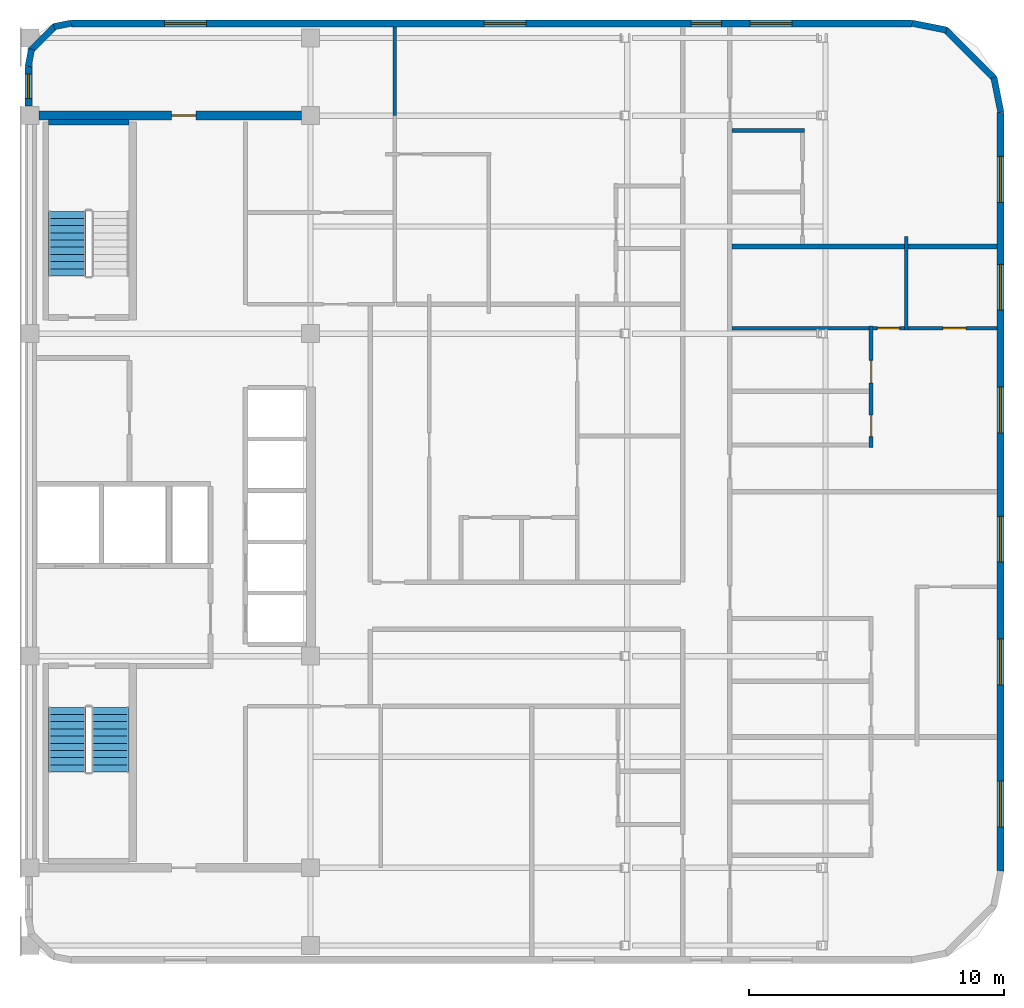
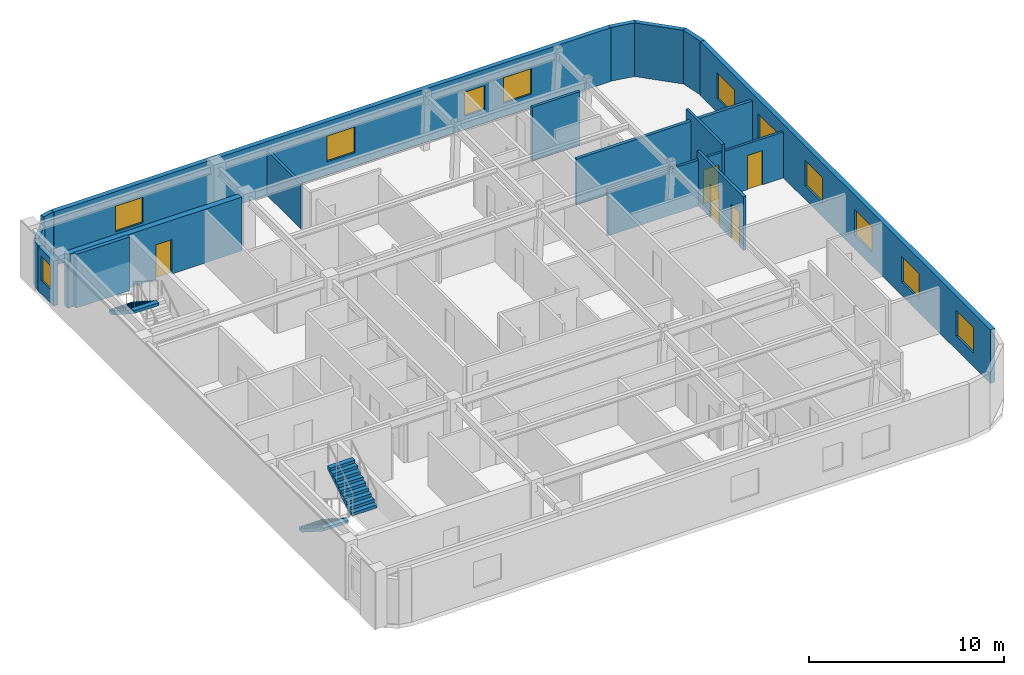
# One storey, part 5 of 7: 17 walls, 11 windows, 5 doors, 3 stair flights, 16 openings, 2 elements without a shape of their own.
"""IFC4 building model written with IfcOpenShell, lengths in metres."""

from ifc_helpers import new_model, si_unit, direction, frame, frame_2d, origin, place, context, subcontext, project, spatial, polyline, rectangle, outline, extrude, material, layer, layer_set, type_object, element, fill, aggregate, save


model = new_model("IFC4")

# Units and contexts
model_context = context("Model", 3, precision=1e-05, world=origin(), true_north=direction((0.0, 1.0)))
body_context = subcontext(model_context, "Body", "Model", "MODEL_VIEW")
ifc_project = project(units=[si_unit("LENGTHUNIT", "METRE"), si_unit("AREAUNIT", "SQUARE_METRE"), si_unit("VOLUMEUNIT", "CUBIC_METRE"), si_unit("PLANEANGLEUNIT", "RADIAN"), si_unit("MASSUNIT", "GRAM", prefix="KILO")], contexts=[model_context])

# Site, building, storey
site_placement = place(None, origin())
site = spatial("IfcSite", under=ifc_project, at=site_placement, CompositionType="ELEMENT")
building_placement = place(site_placement, origin())
building = spatial("IfcBuilding", under=site, at=building_placement, Name="Ochreholt Gables", CompositionType="ELEMENT")
storey_placement = place(building_placement, frame((0.0, 0.0, 216.60009765625)))
storey = spatial("IfcBuildingStorey", under=building, at=storey_placement, Name="L56", CompositionType="ELEMENT", Elevation=216.60009765625)

# Wall, opening, door
ifc_material_1 = material(Name="Concrete 50 MPa", Category="concrete")
ifc_layer_1 = layer(ifc_material_1, 0.35009765625, Name="Concrete 50 MPa")
ifc_layer_set_1 = layer_set([ifc_layer_1], Name="Concrete 50 MPa")
wall_type_1 = type_object("IfcWallType", Name="WALL-CSW-350", PredefinedType="SHEAR", material=ifc_layer_set_1)
wall_1_placement = place(storey_placement, frame((24.550048828125, 38.75, 0.0), z_axis=(0.0, 0.0, 1.0), x_axis=(1.0, 0.0, 0.0)))
wall_1 = element("IfcWall", 1, at=wall_1_placement, inside=storey, type_object=wall_type_1, Name="L56 Core North Shear Wall", PredefinedType="SHEAR", context=body_context, shape_type="SweptSolid", body=[
    extrude(rectangle(XDim=10.300048828125, YDim=0.35009765625, at=frame_2d((5.14990234375, 0.0))), origin(), (0.0, 0.0, 1.0), 3.35986328125),
])
opening_1_placement = place(wall_1_placement, frame((5.199951171875, 0.0, 0.0)))
opening_1 = element("IfcOpeningElement", 2, at=opening_1_placement, cuts=wall_1, Name="Opening D-FL2", PredefinedType="OPENING", context=body_context, shape_type="SweptSolid", body=[
    extrude(rectangle(XDim=0.949951171875, YDim=2.14990234375, at=frame_2d((0.47509765625, 1.074951171875))), frame((0.0, 0.18505859375, 0.0), z_axis=(0.0, -1.0, 0.0), x_axis=(1.0, 0.0, 0.0)), (0.0, 0.0, 1.0), 0.3701171875),
])
ifc_material_2 = material(Name="Hollow Metal Steel", Category="steel")
door_type_1 = type_object("IfcDoorType", Name="DR-INT-FLB950", OperationType="NOTDEFINED", PredefinedType="DOOR", material=ifc_material_2)
door_1_placement = place(opening_1_placement, origin())
door_1 = element("IfcDoor", 3, at=door_1_placement, inside=storey, type_object=door_type_1, Name="L56 Door D-C3NSR-L56", OperationType="SINGLE_SWING_RIGHT", OverallHeight=2.14990234375, OverallWidth=0.949951171875, PredefinedType="DOOR", context=body_context, shape_type="SweptSolid", body=[
    extrude(rectangle(XDim=0.949951171875, YDim=2.14990234375, at=frame_2d((0.47509765625, 1.074951171875))), frame((0.0, 0.02490234375, 0.0), z_axis=(0.0, -1.0, 0.0), x_axis=(1.0, 0.0, 0.0)), (0.0, 0.0, 1.0), 0.050048828125),
])
fill(opening_1, door_1)

# Wall, openings, windows
ifc_material_3 = material(Name="Precast concrete 40 MPa", Category="concrete")
ifc_layer_2 = layer(ifc_material_3, 0.27001953125, Name="Precast concrete 40 MPa")
ifc_layer_set_2 = layer_set([ifc_layer_2], Name="Precast concrete 40 MPa")
wall_type_2 = type_object("IfcWallType", Name="WALL-EXT-270", PredefinedType="SOLIDWALL", material=ifc_layer_set_2)
wall_2_placement = place(storey_placement, frame((62.264892578125, 9.1201171875, 0.0), z_axis=(0.0, 0.0, 1.0), x_axis=(0.0, 1.0, 0.0)))
wall_2 = element("IfcWall", 4, at=wall_2_placement, inside=storey, type_object=wall_type_2, Name="L56 East Exterior Wall", PredefinedType="SOLIDWALL", context=body_context, shape_type="SweptSolid", body=[
    extrude(rectangle(XDim=29.759765625, YDim=0.27001953125, at=frame_2d((14.8798828125, 0.0))), origin(), (0.0, 0.0, 1.0), 3.35986328125),
])
opening_2_placement = place(wall_2_placement, frame((1.72998046875, 0.0, 0.85009765625)))
opening_2 = element("IfcOpeningElement", 5, at=opening_2_placement, cuts=wall_2, Name="Opening WN-1", PredefinedType="OPENING", context=body_context, shape_type="SweptSolid", body=[
    extrude(rectangle(XDim=1.800048828125, YDim=1.60009765625, at=frame_2d((0.89990234375, 0.800048828125))), frame((0.0, 0.14501953125, 0.0), z_axis=(0.0, -1.0, 0.0), x_axis=(1.0, 0.0, 0.0)), (0.0, 0.0, 1.0), 0.2900390625),
])
opening_3_placement = place(wall_2_placement, frame((7.304931640625, 0.0, 0.85009765625)))
opening_3 = element("IfcOpeningElement", 6, at=opening_3_placement, cuts=wall_2, Name="Opening WN-1", PredefinedType="OPENING", context=body_context, shape_type="SweptSolid", body=[
    extrude(rectangle(XDim=1.800048828125, YDim=1.60009765625, at=frame_2d((0.89990234375, 0.800048828125))), frame((0.0, 0.14501953125, 0.0), z_axis=(0.0, -1.0, 0.0), x_axis=(1.0, 0.0, 0.0)), (0.0, 0.0, 1.0), 0.2900390625),
])
opening_4_placement = place(wall_2_placement, frame((12.114990234375, 0.0, 0.85009765625)))
opening_4 = element("IfcOpeningElement", 7, at=opening_4_placement, cuts=wall_2, Name="Opening WN-1", PredefinedType="OPENING", context=body_context, shape_type="SweptSolid", body=[
    extrude(rectangle(XDim=1.800048828125, YDim=1.60009765625, at=frame_2d((0.89990234375, 0.800048828125))), frame((0.0, 0.14501953125, 0.0), z_axis=(0.0, -1.0, 0.0), x_axis=(1.0, 0.0, 0.0)), (0.0, 0.0, 1.0), 0.2900390625),
])
opening_5_placement = place(wall_2_placement, frame((17.1875, 0.0, 0.85009765625)))
opening_5 = element("IfcOpeningElement", 8, at=opening_5_placement, cuts=wall_2, Name="Opening WN-1", PredefinedType="OPENING", context=body_context, shape_type="SweptSolid", body=[
    extrude(rectangle(XDim=1.800048828125, YDim=1.60009765625, at=frame_2d((0.89990234375, 0.800048828125))), frame((0.0, 0.14501953125, 0.0), z_axis=(0.0, -1.0, 0.0), x_axis=(1.0, 0.0, 0.0)), (0.0, 0.0, 1.0), 0.2900390625),
])
opening_6_placement = place(wall_2_placement, frame((21.997314453125, 0.0, 0.85009765625)))
opening_6 = element("IfcOpeningElement", 9, at=opening_6_placement, cuts=wall_2, Name="Opening WN-1", PredefinedType="OPENING", context=body_context, shape_type="SweptSolid", body=[
    extrude(rectangle(XDim=1.800048828125, YDim=1.60009765625, at=frame_2d((0.89990234375, 0.800048828125))), frame((0.0, 0.14501953125, 0.0), z_axis=(0.0, -1.0, 0.0), x_axis=(1.0, 0.0, 0.0)), (0.0, 0.0, 1.0), 0.2900390625),
])
opening_7_placement = place(wall_2_placement, frame((26.22998046875, 0.0, 0.85009765625)))
opening_7 = element("IfcOpeningElement", 10, at=opening_7_placement, cuts=wall_2, Name="Opening WN-1", PredefinedType="OPENING", context=body_context, shape_type="SweptSolid", body=[
    extrude(rectangle(XDim=1.800048828125, YDim=1.60009765625, at=frame_2d((0.89990234375, 0.800048828125))), frame((0.0, 0.14501953125, 0.0), z_axis=(0.0, -1.0, 0.0), x_axis=(1.0, 0.0, 0.0)), (0.0, 0.0, 1.0), 0.2900390625),
])
ifc_material_4 = material(Name="Triple-Glazed Thermally Broken Aluminium Window", Category="aluminium")
window_type_1 = type_object("IfcWindowType", Name="WIN-RES-1800", PartitioningType="SINGLE_PANEL", PredefinedType="WINDOW", material=ifc_material_4)
window_1_placement = place(opening_2_placement, origin())
window_1 = element("IfcWindow", 11, at=window_1_placement, inside=storey, type_object=window_type_1, Name="L56 Window W-EXT-E-L56-1", OverallHeight=1.60009765625, OverallWidth=1.800048828125, PartitioningType="SINGLE_PANEL", PredefinedType="WINDOW", context=body_context, shape_type="SweptSolid", body=[
    extrude(rectangle(XDim=1.800048828125, YDim=1.60009765625, at=frame_2d((0.89990234375, 0.800048828125))), frame((0.0, 0.030029296875, 0.0), z_axis=(0.0, -1.0, 0.0), x_axis=(1.0, 0.0, 0.0)), (0.0, 0.0, 1.0), 0.06005859375),
])
fill(opening_2, window_1)
window_2_placement = place(opening_3_placement, origin())
window_2 = element("IfcWindow", 12, at=window_2_placement, inside=storey, type_object=window_type_1, Name="L56 Window W-EXT-E-L56-2", OverallHeight=1.60009765625, OverallWidth=1.800048828125, PartitioningType="SINGLE_PANEL", PredefinedType="WINDOW", context=body_context, shape_type="SweptSolid", body=[
    extrude(rectangle(XDim=1.800048828125, YDim=1.60009765625, at=frame_2d((0.89990234375, 0.800048828125))), frame((0.0, 0.030029296875, 0.0), z_axis=(0.0, -1.0, 0.0), x_axis=(1.0, 0.0, 0.0)), (0.0, 0.0, 1.0), 0.06005859375),
])
fill(opening_3, window_2)
window_3_placement = place(opening_4_placement, origin())
window_3 = element("IfcWindow", 13, at=window_3_placement, inside=storey, type_object=window_type_1, Name="L56 Window W-EXT-E-L56-3", OverallHeight=1.60009765625, OverallWidth=1.800048828125, PartitioningType="SINGLE_PANEL", PredefinedType="WINDOW", context=body_context, shape_type="SweptSolid", body=[
    extrude(rectangle(XDim=1.800048828125, YDim=1.60009765625, at=frame_2d((0.89990234375, 0.800048828125))), frame((0.0, 0.030029296875, 0.0), z_axis=(0.0, -1.0, 0.0), x_axis=(1.0, 0.0, 0.0)), (0.0, 0.0, 1.0), 0.06005859375),
])
fill(opening_4, window_3)
window_4_placement = place(opening_5_placement, origin())
window_4 = element("IfcWindow", 14, at=window_4_placement, inside=storey, type_object=window_type_1, Name="L56 Window W-EXT-E-L56-4", OverallHeight=1.60009765625, OverallWidth=1.800048828125, PartitioningType="SINGLE_PANEL", PredefinedType="WINDOW", context=body_context, shape_type="SweptSolid", body=[
    extrude(rectangle(XDim=1.800048828125, YDim=1.60009765625, at=frame_2d((0.89990234375, 0.800048828125))), frame((0.0, 0.030029296875, 0.0), z_axis=(0.0, -1.0, 0.0), x_axis=(1.0, 0.0, 0.0)), (0.0, 0.0, 1.0), 0.06005859375),
])
fill(opening_5, window_4)
window_5_placement = place(opening_6_placement, origin())
window_5 = element("IfcWindow", 15, at=window_5_placement, inside=storey, type_object=window_type_1, Name="L56 Window W-EXT-E-L56-5", OverallHeight=1.60009765625, OverallWidth=1.800048828125, PartitioningType="SINGLE_PANEL", PredefinedType="WINDOW", context=body_context, shape_type="SweptSolid", body=[
    extrude(rectangle(XDim=1.800048828125, YDim=1.60009765625, at=frame_2d((0.89990234375, 0.800048828125))), frame((0.0, 0.030029296875, 0.0), z_axis=(0.0, -1.0, 0.0), x_axis=(1.0, 0.0, 0.0)), (0.0, 0.0, 1.0), 0.06005859375),
])
fill(opening_6, window_5)
window_6_placement = place(opening_7_placement, origin())
window_6 = element("IfcWindow", 16, at=window_6_placement, inside=storey, type_object=window_type_1, Name="L56 Window W-EXT-E-L56-6", OverallHeight=1.60009765625, OverallWidth=1.800048828125, PartitioningType="SINGLE_PANEL", PredefinedType="WINDOW", context=body_context, shape_type="SweptSolid", body=[
    extrude(rectangle(XDim=1.800048828125, YDim=1.60009765625, at=frame_2d((0.89990234375, 0.800048828125))), frame((0.0, 0.030029296875, 0.0), z_axis=(0.0, -1.0, 0.0), x_axis=(1.0, 0.0, 0.0)), (0.0, 0.0, 1.0), 0.06005859375),
])
fill(opening_7, window_6)

wall_3_placement = place(storey_placement, frame((58.780029296875, 42.364990234375, 0.0), z_axis=(0.0, 0.0, 1.0), x_axis=(-1.0, 0.0, 0.0)))
wall_3 = element("IfcWall", 17, at=wall_3_placement, inside=storey, type_object=wall_type_2, Name="L56 North Exterior Wall", PredefinedType="SOLIDWALL", context=body_context, shape_type="SweptSolid", body=[
    extrude(rectangle(XDim=32.9599609375, YDim=0.27001953125, at=frame_2d((16.47998046875, 0.0))), origin(), (0.0, 0.0, 1.0), 3.35986328125),
])
opening_8_placement = place(wall_3_placement, frame((27.6650390625, 0.0, 0.85009765625)))
opening_8 = element("IfcOpeningElement", 18, at=opening_8_placement, cuts=wall_3, Name="Opening WN-7", PredefinedType="OPENING", context=body_context, shape_type="SweptSolid", body=[
    extrude(rectangle(XDim=1.64990234375, YDim=1.60009765625, at=frame_2d((0.824951171875, 0.800048828125))), frame((0.0, 0.14501953125, 0.0), z_axis=(0.0, -1.0, 0.0), x_axis=(1.0, 0.0, 0.0)), (0.0, 0.0, 1.0), 0.2900390625),
])
opening_9_placement = place(wall_3_placement, frame((15.135009765625, 0.0, 0.85009765625)))
opening_9 = element("IfcOpeningElement", 19, at=opening_9_placement, cuts=wall_3, Name="Opening WN-7", PredefinedType="OPENING", context=body_context, shape_type="SweptSolid", body=[
    extrude(rectangle(XDim=1.64990234375, YDim=1.60009765625, at=frame_2d((0.824951171875, 0.800048828125))), frame((0.0, 0.14501953125, 0.0), z_axis=(0.0, -1.0, 0.0), x_axis=(1.0, 0.0, 0.0)), (0.0, 0.0, 1.0), 0.2900390625),
])
opening_10_placement = place(wall_3_placement, frame((7.455078125, 0.0, 0.85009765625)))
opening_10 = element("IfcOpeningElement", 20, at=opening_10_placement, cuts=wall_3, Name="Opening WN-3", PredefinedType="OPENING", context=body_context, shape_type="SweptSolid", body=[
    extrude(rectangle(XDim=1.199951171875, YDim=1.5, at=frame_2d((0.60009765625, 0.75))), frame((0.0, 0.14501953125, 0.0), z_axis=(0.0, -1.0, 0.0), x_axis=(1.0, 0.0, 0.0)), (0.0, 0.0, 1.0), 0.2900390625),
])
opening_11_placement = place(wall_3_placement, frame((4.68798828125, 0.0, 0.85009765625)))
opening_11 = element("IfcOpeningElement", 21, at=opening_11_placement, cuts=wall_3, Name="Opening WN-7", PredefinedType="OPENING", context=body_context, shape_type="SweptSolid", body=[
    extrude(rectangle(XDim=1.64990234375, YDim=1.60009765625, at=frame_2d((0.824951171875, 0.800048828125))), frame((0.0, 0.14501953125, 0.0), z_axis=(0.0, -1.0, 0.0), x_axis=(1.0, 0.0, 0.0)), (0.0, 0.0, 1.0), 0.2900390625),
])
window_type_2 = type_object("IfcWindowType", Name="WIN-RES-1200", PartitioningType="SINGLE_PANEL", PredefinedType="WINDOW", material=ifc_material_4)
window_7_placement = place(opening_10_placement, origin())
window_7 = element("IfcWindow", 22, at=window_7_placement, inside=storey, type_object=window_type_2, Name="L56 Window W-EXT-N-L56-3", OverallHeight=1.5, OverallWidth=1.199951171875, PartitioningType="SINGLE_PANEL", PredefinedType="WINDOW", context=body_context, shape_type="SweptSolid", body=[
    extrude(rectangle(XDim=1.199951171875, YDim=1.5, at=frame_2d((0.60009765625, 0.75))), frame((0.0, 0.030029296875, 0.0), z_axis=(0.0, -1.0, 0.0), x_axis=(1.0, 0.0, 0.0)), (0.0, 0.0, 1.0), 0.06005859375),
])
fill(opening_10, window_7)
window_type_3 = type_object("IfcWindowType", Name="WIN-RES-1650", PartitioningType="SINGLE_PANEL", PredefinedType="WINDOW", material=ifc_material_4)
window_8_placement = place(opening_8_placement, origin())
window_8 = element("IfcWindow", 23, at=window_8_placement, inside=storey, type_object=window_type_3, Name="L56 Window W-EXT-N-L56-1", OverallHeight=1.60009765625, OverallWidth=1.64990234375, PartitioningType="SINGLE_PANEL", PredefinedType="WINDOW", context=body_context, shape_type="SweptSolid", body=[
    extrude(rectangle(XDim=1.64990234375, YDim=1.60009765625, at=frame_2d((0.824951171875, 0.800048828125))), frame((0.0, 0.030029296875, 0.0), z_axis=(0.0, -1.0, 0.0), x_axis=(1.0, 0.0, 0.0)), (0.0, 0.0, 1.0), 0.06005859375),
])
fill(opening_8, window_8)
window_9_placement = place(opening_9_placement, origin())
window_9 = element("IfcWindow", 24, at=window_9_placement, inside=storey, type_object=window_type_3, Name="L56 Window W-EXT-N-L56-2", OverallHeight=1.60009765625, OverallWidth=1.64990234375, PartitioningType="SINGLE_PANEL", PredefinedType="WINDOW", context=body_context, shape_type="SweptSolid", body=[
    extrude(rectangle(XDim=1.64990234375, YDim=1.60009765625, at=frame_2d((0.824951171875, 0.800048828125))), frame((0.0, 0.030029296875, 0.0), z_axis=(0.0, -1.0, 0.0), x_axis=(1.0, 0.0, 0.0)), (0.0, 0.0, 1.0), 0.06005859375),
])
fill(opening_9, window_9)
window_10_placement = place(opening_11_placement, origin())
window_10 = element("IfcWindow", 25, at=window_10_placement, inside=storey, type_object=window_type_3, Name="L56 Window W-EXT-N-L56-4", OverallHeight=1.60009765625, OverallWidth=1.64990234375, PartitioningType="SINGLE_PANEL", PredefinedType="WINDOW", context=body_context, shape_type="SweptSolid", body=[
    extrude(rectangle(XDim=1.64990234375, YDim=1.60009765625, at=frame_2d((0.824951171875, 0.800048828125))), frame((0.0, 0.030029296875, 0.0), z_axis=(0.0, -1.0, 0.0), x_axis=(1.0, 0.0, 0.0)), (0.0, 0.0, 1.0), 0.06005859375),
])
fill(opening_11, window_10)

# Wall, opening, window
wall_4_placement = place(storey_placement, frame((24.135009765625, 39.1201171875, 0.0), z_axis=(0.0, 0.0, 1.0), x_axis=(0.0, 1.0, 0.0)))
wall_4 = element("IfcWall", 26, at=wall_4_placement, inside=storey, type_object=wall_type_2, Name="L56 West Facade North Bay Wall", PredefinedType="SOLIDWALL", context=body_context, shape_type="SweptSolid", body=[
    extrude(rectangle(XDim=1.559814453125, YDim=0.27001953125, at=frame_2d((0.77978515625, 0.0))), origin(), (0.0, 0.0, 1.0), 2.802978515625),
])
opening_12_placement = place(wall_4_placement, frame((0.304931640625, 0.0, 0.85009765625)))
opening_12 = element("IfcOpeningElement", 27, at=opening_12_placement, cuts=wall_4, Name="Opening WN-10", PredefinedType="OPENING", context=body_context, shape_type="SweptSolid", body=[
    extrude(rectangle(XDim=0.949951171875, YDim=1.5, at=frame_2d((0.47509765625, 0.75))), frame((0.0, 0.14501953125, 0.0), z_axis=(0.0, -1.0, 0.0), x_axis=(1.0, 0.0, 0.0)), (0.0, 0.0, 1.0), 0.2900390625),
])
window_type_4 = type_object("IfcWindowType", Name="WIN-RES-950", PartitioningType="SINGLE_PANEL", PredefinedType="WINDOW", material=ifc_material_4)
window_11_placement = place(opening_12_placement, origin())
window_11 = element("IfcWindow", 28, at=window_11_placement, inside=storey, type_object=window_type_4, Name="L56 North Sky Reading West Window", OverallHeight=1.5, OverallWidth=0.949951171875, PartitioningType="SINGLE_PANEL", PredefinedType="WINDOW", context=body_context, shape_type="SweptSolid", body=[
    extrude(rectangle(XDim=0.949951171875, YDim=1.5, at=frame_2d((0.47509765625, 0.75))), frame((0.0, 0.030029296875, 0.0), z_axis=(0.0, -1.0, 0.0), x_axis=(1.0, 0.0, 0.0)), (0.0, 0.0, 1.0), 0.06005859375),
])
fill(opening_12, window_11)

# Walls
ifc_layer_3 = layer(ifc_material_3, 0.25, Name="Precast concrete 40 MPa")
ifc_layer_set_3 = layer_set([ifc_layer_3], Name="Precast concrete 40 MPa")
wall_type_3 = type_object("IfcWallType", Name="WALL-EXT-CNR", PredefinedType="SOLIDWALL", material=ifc_layer_set_3)
wall_5_placement = place(storey_placement, frame((62.27587890625, 38.883544921875, 0.0), z_axis=(0.0, 0.0, 1.0), x_axis=(-0.195135625965, 0.9807762678, 0.0)))
element("IfcWall", 29, at=wall_5_placement, inside=storey, type_object=wall_type_3, Name="L56 Rounded Corner Wall NE-1", PredefinedType="SOLIDWALL", context=body_context, shape_type="SweptSolid", body=[
    extrude(rectangle(XDim=1.388671875, YDim=0.25, at=frame_2d((0.6943359375, 0.0))), origin(), (0.0, 0.0, 1.0), 3.35986328125),
])
wall_6_placement = place(storey_placement, frame((62.031982421875, 40.195068359375, 0.0), z_axis=(0.0, 0.0, 1.0), x_axis=(-0.707106781187, 0.707106781187, 0.0)))
element("IfcWall", 30, at=wall_6_placement, inside=storey, type_object=wall_type_3, Name="L56 Rounded Corner Wall NE-2", PredefinedType="SOLIDWALL", context=body_context, shape_type="SweptSolid", body=[
    extrude(rectangle(XDim=2.7392578125, YDim=0.25, at=frame_2d((1.36962890625, 0.0))), origin(), (0.0, 0.0, 1.0), 3.35986328125),
])
wall_7_placement = place(storey_placement, frame((60.1455078125, 42.10498046875, 0.0), z_axis=(0.0, 0.0, 1.0), x_axis=(-0.980809899341, 0.19496651342, 0.0)))
element("IfcWall", 31, at=wall_7_placement, inside=storey, type_object=wall_type_3, Name="L56 Rounded Corner Wall NE-3", PredefinedType="SOLIDWALL", context=body_context, shape_type="SweptSolid", body=[
    extrude(rectangle(XDim=1.388671875, YDim=0.25, at=frame_2d((0.6943359375, 0.0))), origin(), (0.0, 0.0, 1.0), 3.35986328125),
])
wall_8_placement = place(storey_placement, frame((25.81640625, 42.375732421875, 0.0), z_axis=(0.0, 0.0, 1.0), x_axis=(-0.980812594069, -0.194952956674, 0.0)))
element("IfcWall", 32, at=wall_8_placement, inside=storey, type_object=wall_type_3, Name="L56 Rounded Corner Wall NW-1", PredefinedType="SOLIDWALL", context=body_context, shape_type="SweptSolid", body=[
    extrude(rectangle(XDim=0.686279296875, YDim=0.25, at=frame_2d((0.34326171875, 0.0))), origin(), (0.0, 0.0, 1.0), 3.35986328125),
])
wall_9_placement = place(storey_placement, frame((25.19384765625, 42.26904296875, 0.0), z_axis=(0.0, 0.0, 1.0), x_axis=(-0.707106781187, -0.707106781187, 0.0)))
element("IfcWall", 33, at=wall_9_placement, inside=storey, type_object=wall_type_3, Name="L56 Rounded Corner Wall NW-2", PredefinedType="SOLIDWALL", context=body_context, shape_type="SweptSolid", body=[
    extrude(rectangle(XDim=1.36181640625, YDim=0.25, at=frame_2d((0.680908203125, 0.0))), origin(), (0.0, 0.0, 1.0), 2.802978515625),
])
wall_10_placement = place(storey_placement, frame((24.258056640625, 41.356689453125, 0.0), z_axis=(0.0, 0.0, 1.0), x_axis=(-0.194952956674, -0.980812594069, 0.0)))
element("IfcWall", 34, at=wall_10_placement, inside=storey, type_object=wall_type_3, Name="L56 Rounded Corner Wall NW-3", PredefinedType="SOLIDWALL", context=body_context, shape_type="SweptSolid", body=[
    extrude(rectangle(XDim=0.686279296875, YDim=0.25, at=frame_2d((0.34326171875, 0.0))), origin(), (0.0, 0.0, 1.0), 2.802978515625),
])
ifc_material_5 = material(Name="Double-Stud Acoustic Demising Wall", Category="gypsum")
ifc_layer_4 = layer(ifc_material_5, 0.18505859375, Name="Double-Stud Acoustic Demising Wall")
ifc_layer_set_4 = layer_set([ifc_layer_4], Name="Double-Stud Acoustic Demising Wall")
wall_type_4 = type_object("IfcWallType", Name="WALL-INT-DM185", PredefinedType="PARTITIONING", material=ifc_layer_set_4)
wall_11_placement = place(storey_placement, frame((51.739990234375, 33.6201171875, 0.0), z_axis=(0.0, 0.0, 1.0), x_axis=(1.0, 0.0, 0.0)))
element("IfcWall", 35, at=wall_11_placement, inside=storey, type_object=wall_type_4, Name="L56 Interior Wall WI-C3UDE4-L56", PredefinedType="PARTITIONING", context=body_context, shape_type="SweptSolid", body=[
    extrude(rectangle(XDim=10.389892578125, YDim=0.18505859375, at=frame_2d((5.19482421875, 0.0))), origin(), (0.0, 0.0, 1.0), 2.87890625),
])

# Wall, openings, doors
ifc_material_6 = material(Name="Moisture-Resistant Plumbing Chase Wall", Category="gypsum")
ifc_layer_5 = layer(ifc_material_6, 0.159912109375, Name="Moisture-Resistant Plumbing Chase Wall")
ifc_layer_set_5 = layer_set([ifc_layer_5], Name="Moisture-Resistant Plumbing Chase Wall")
wall_type_5 = type_object("IfcWallType", Name="WALL-INT-PL160", PredefinedType="PLUMBINGWALL", material=ifc_layer_set_5)
wall_12_placement = place(storey_placement, frame((57.18994140625, 25.739990234375, 0.0), z_axis=(0.0, 0.0, 1.0), x_axis=(0.0, 1.0, 0.0)))
wall_12 = element("IfcWall", 36, at=wall_12_placement, inside=storey, type_object=wall_type_5, Name="L56 Interior Wall WU-L56E3-WX", PredefinedType="PLUMBINGWALL", context=body_context, shape_type="SweptSolid", body=[
    extrude(rectangle(XDim=4.764892578125, YDim=0.159912109375, at=frame_2d((2.38232421875, 0.0))), origin(), (0.0, 0.0, 1.0), 3.35986328125),
])
opening_13_placement = place(wall_12_placement, frame((0.419921875, 0.0, 0.0)))
opening_13 = element("IfcOpeningElement", 37, at=opening_13_placement, cuts=wall_12, Name="Opening D-BT2", PredefinedType="OPENING", context=body_context, shape_type="SweptSolid", body=[
    extrude(rectangle(XDim=0.840087890625, YDim=2.1201171875, at=frame_2d((0.419921875, 1.06005859375))), frame((0.0, 0.08984375, 0.0), z_axis=(0.0, -1.0, 0.0), x_axis=(1.0, 0.0, 0.0)), (0.0, 0.0, 1.0), 0.179931640625),
])
opening_14_placement = place(wall_12_placement, frame((2.529052734375, 0.0, 0.0)))
opening_14 = element("IfcOpeningElement", 38, at=opening_14_placement, cuts=wall_12, Name="Opening D-GN2", PredefinedType="OPENING", context=body_context, shape_type="SweptSolid", body=[
    extrude(rectangle(XDim=0.8798828125, YDim=2.1201171875, at=frame_2d((0.43994140625, 1.06005859375))), frame((0.0, 0.08984375, 0.0), z_axis=(0.0, -1.0, 0.0), x_axis=(1.0, 0.0, 0.0)), (0.0, 0.0, 1.0), 0.179931640625),
])
ifc_material_7 = material(Name="Engineered Oak Timber", Category="wood")
door_type_2 = type_object("IfcDoorType", Name="DR-INT-BTH840", OperationType="NOTDEFINED", PredefinedType="DOOR", material=ifc_material_7)
door_2_placement = place(opening_13_placement, origin())
door_2 = element("IfcDoor", 39, at=door_2_placement, inside=storey, type_object=door_type_2, Name="L56 Door D-U-L56E3-BTH", OperationType="SINGLE_SWING_LEFT", OverallHeight=2.1201171875, OverallWidth=0.840087890625, PredefinedType="DOOR", context=body_context, shape_type="SweptSolid", body=[
    extrude(rectangle(XDim=0.840087890625, YDim=2.1201171875, at=frame_2d((0.419921875, 1.06005859375))), frame((0.0, 0.02490234375, 0.0), z_axis=(0.0, -1.0, 0.0), x_axis=(1.0, 0.0, 0.0)), (0.0, 0.0, 1.0), 0.050048828125),
])
fill(opening_13, door_2)
door_type_3 = type_object("IfcDoorType", Name="DR-INT-GEN880", OperationType="NOTDEFINED", PredefinedType="DOOR", material=ifc_material_7)
door_3_placement = place(opening_14_placement, origin())
door_3 = element("IfcDoor", 40, at=door_3_placement, inside=storey, type_object=door_type_3, Name="L56 Door D-U-L56E3-KIT", OperationType="SINGLE_SWING_RIGHT", OverallHeight=2.1201171875, OverallWidth=0.8798828125, PredefinedType="DOOR", context=body_context, shape_type="SweptSolid", body=[
    extrude(rectangle(XDim=0.8798828125, YDim=2.1201171875, at=frame_2d((0.43994140625, 1.06005859375))), frame((0.0, 0.02490234375, 0.0), z_axis=(0.0, -1.0, 0.0), x_axis=(1.0, 0.0, 0.0)), (0.0, 0.0, 1.0), 0.050048828125),
])
fill(opening_14, door_3)

# Wall
wall_13_placement = place(storey_placement, frame((51.739990234375, 38.159912109375, 0.0), z_axis=(0.0, 0.0, 1.0), x_axis=(1.0, 0.0, 0.0)))
element("IfcWall", 41, at=wall_13_placement, inside=storey, type_object=wall_type_5, Name="L56 Interior Wall WU-L56E4-WYN", PredefinedType="PLUMBINGWALL", context=body_context, shape_type="SweptSolid", body=[
    extrude(rectangle(XDim=2.833984375, YDim=0.159912109375, at=frame_2d((1.4169921875, 0.0))), origin(), (0.0, 0.0, 1.0), 3.35986328125),
])

# Wall, openings, doors
ifc_material_8 = material(Name="Lightweight Stud Partition", Category="gypsum")
ifc_layer_6 = layer(ifc_material_8, 0.14501953125, Name="Lightweight Stud Partition")
ifc_layer_set_6 = layer_set([ifc_layer_6], Name="Lightweight Stud Partition")
wall_type_6 = type_object("IfcWallType", Name="WALL-INT-PT145", PredefinedType="PARTITIONING", material=ifc_layer_set_6)
wall_14_placement = place(storey_placement, frame((51.739990234375, 30.414794921875, 0.0), z_axis=(0.0, 0.0, 1.0), x_axis=(1.0, 0.0, 0.0)))
wall_14 = element("IfcWall", 42, at=wall_14_placement, inside=storey, type_object=wall_type_6, Name="L56 Interior Wall WU-L56E3-MN", PredefinedType="PARTITIONING", context=body_context, shape_type="SweptSolid", body=[
    extrude(rectangle(XDim=10.389892578125, YDim=0.14501953125, at=frame_2d((5.19482421875, 0.0))), origin(), (0.0, 0.0, 1.0), 2.87890625),
])
opening_15_placement = place(wall_14_placement, frame((5.68994140625, 0.0, 0.0)))
opening_15 = element("IfcOpeningElement", 43, at=opening_15_placement, cuts=wall_14, Name="Opening D-GN2", PredefinedType="OPENING", context=body_context, shape_type="SweptSolid", body=[
    extrude(rectangle(XDim=0.8798828125, YDim=2.1201171875, at=frame_2d((0.43994140625, 1.06005859375))), frame((0.0, 0.08251953125, 0.0), z_axis=(0.0, -1.0, 0.0), x_axis=(1.0, 0.0, 0.0)), (0.0, 0.0, 1.0), 0.1650390625),
])
opening_16_placement = place(wall_14_placement, frame((8.264892578125, 0.0, 0.0)))
opening_16 = element("IfcOpeningElement", 44, at=opening_16_placement, cuts=wall_14, Name="Opening D-BD1", PredefinedType="OPENING", context=body_context, shape_type="SweptSolid", body=[
    extrude(rectangle(XDim=0.89990234375, YDim=2.139892578125, at=frame_2d((0.449951171875, 1.06982421875))), frame((0.0, 0.08251953125, 0.0), z_axis=(0.0, -1.0, 0.0), x_axis=(1.0, 0.0, 0.0)), (0.0, 0.0, 1.0), 0.1650390625),
])
door_type_4 = type_object("IfcDoorType", Name="DR-INT-BED900", OperationType="NOTDEFINED", PredefinedType="DOOR", material=ifc_material_7)
door_4_placement = place(opening_16_placement, origin())
door_4 = element("IfcDoor", 45, at=door_4_placement, inside=storey, type_object=door_type_4, Name="L56 Door D-U-L56E3-BD1", OperationType="SINGLE_SWING_LEFT", OverallHeight=2.139892578125, OverallWidth=0.89990234375, PredefinedType="DOOR", context=body_context, shape_type="SweptSolid", body=[
    extrude(rectangle(XDim=0.89990234375, YDim=2.139892578125, at=frame_2d((0.449951171875, 1.06982421875))), frame((0.0, 0.02490234375, 0.0), z_axis=(0.0, -1.0, 0.0), x_axis=(1.0, 0.0, 0.0)), (0.0, 0.0, 1.0), 0.050048828125),
])
fill(opening_16, door_4)
door_5_placement = place(opening_15_placement, origin())
door_5 = element("IfcDoor", 46, at=door_5_placement, inside=storey, type_object=door_type_3, Name="L56 Door D-U-L56E3-STD", OperationType="SINGLE_SWING_RIGHT", OverallHeight=2.1201171875, OverallWidth=0.8798828125, PredefinedType="DOOR", context=body_context, shape_type="SweptSolid", body=[
    extrude(rectangle(XDim=0.8798828125, YDim=2.1201171875, at=frame_2d((0.43994140625, 1.06005859375))), frame((0.0, 0.02490234375, 0.0), z_axis=(0.0, -1.0, 0.0), x_axis=(1.0, 0.0, 0.0)), (0.0, 0.0, 1.0), 0.050048828125),
])
fill(opening_15, door_5)

# Walls
wall_15_placement = place(storey_placement, frame((58.570068359375, 30.334716796875, 0.0), z_axis=(0.0, 0.0, 1.0), x_axis=(0.0, 1.0, 0.0)))
element("IfcWall", 47, at=wall_15_placement, inside=storey, type_object=wall_type_6, Name="L56 Interior Wall WU-L56E3-BSD", PredefinedType="PARTITIONING", context=body_context, shape_type="SweptSolid", body=[
    extrude(rectangle(XDim=3.67529296875, YDim=0.14501953125, at=frame_2d((1.837646484375, 0.0))), origin(), (0.0, 0.0, 1.0), 3.35986328125),
])
wall_16_placement = place(storey_placement, frame((38.5, 38.75, 0.0), z_axis=(0.0, 0.0, 1.0), x_axis=(0.0, 1.0, 0.0)))
element("IfcWall", 48, at=wall_16_placement, inside=storey, type_object=wall_type_6, Name="L56 Interior Wall WI-C3NMW-L56", PredefinedType="PARTITIONING", context=body_context, shape_type="SweptSolid", body=[
    extrude(rectangle(XDim=3.47998046875, YDim=0.14501953125, at=frame_2d((1.739990234375, 0.0))), origin(), (0.0, 0.0, 1.0), 2.802978515625),
])
ifc_layer_7 = layer(ifc_material_1, 0.219970703125, Name="Concrete 50 MPa")
ifc_layer_set_7 = layer_set([ifc_layer_7], Name="Concrete 50 MPa")
wall_type_7 = type_object("IfcWallType", Name="WALL-STW-220", PredefinedType="SHEAR", material=ifc_layer_set_7)
wall_17_placement = place(storey_placement, frame((24.919921875, 38.489990234375, 0.0), z_axis=(0.0, 0.0, 1.0), x_axis=(1.0, 0.0, 0.0)))
element("IfcWall", 49, at=wall_17_placement, inside=storey, type_object=wall_type_7, Name="L56 Exit Stair 2 North Wall", PredefinedType="SHEAR", context=body_context, shape_type="SweptSolid", body=[
    extrude(rectangle(XDim=3.16015625, YDim=0.219970703125, at=frame_2d((1.580078125, 0.0))), origin(), (0.0, 0.0, 1.0), 3.35986328125),
])

# Stair, stair flights
ifc_material_9 = material(Name="Concrete 40 MPa", Category="concrete")
stair_type_1 = type_object("IfcStairType", Name="STAIR-CORE-ST-1", PredefinedType="HALF_TURN_STAIR", material=ifc_material_9)
stair_1_placement = place(storey_placement, origin())
stair_1 = element("IfcStair", 50, at=stair_1_placement, inside=storey, type_object=stair_type_1, Name="L56 Core Exit Stair 1", PredefinedType="HALF_TURN_STAIR")
stair_flight_type = type_object("IfcStairFlightType", Name="FLIGHT-ST-1480-1800", PredefinedType="STRAIGHT", material=ifc_material_9)
stair_flight_1_placement = place(storey_placement, frame((25.659912109375, 15.5400390625, 0.0), z_axis=(0.0, 0.0, 1.0), x_axis=(0.0, -1.0, 0.0)))
stair_flight_1 = element("IfcStairFlight", 51, at=stair_flight_1_placement, type_object=stair_flight_type, Name="ST-1 flight 1", NumberOfRisers=10, NumberOfTreads=9, PredefinedType="STRAIGHT", RiserHeight=0.18, TreadLength=0.282, context=body_context, shape_type="SweptSolid", body=[
    extrude(outline(polyline([(0.0, 0.0), (0.0, 0.179931640625), (0.281982421875, 0.179931640625), (0.281982421875, 0.360107421875), (0.56396484375, 0.360107421875), (0.56396484375, 0.5400390625), (0.845947265625, 0.5400390625), (0.845947265625, 0.719970703125), (1.1279296875, 0.719970703125), (1.1279296875, 0.89990234375), (1.409912109375, 0.89990234375), (1.409912109375, 1.080078125), (1.69189453125, 1.080078125), (1.69189453125, 1.260009765625), (1.97412109375, 1.260009765625), (1.97412109375, 1.43994140625), (2.256103515625, 1.43994140625), (2.256103515625, 1.6201171875), (2.5380859375, 1.6201171875), (2.5380859375, 1.800048828125), (2.5380859375, 1.442138671875), (0.278564453125, 0.0), (0.0, 0.0)])), frame((0.0, 0.739990234375, 0.0), z_axis=(0.0, -1.0, 0.0), x_axis=(1.0, 0.0, 0.0)), (0.0, 0.0, 1.0), 1.47998046875),
])
stair_flight_2_placement = place(storey_placement, frame((27.340087890625, 13.001953125, 1.7998046875), z_axis=(0.0, 0.0, 1.0), x_axis=(0.0, 1.0, 0.0)))
stair_flight_2 = element("IfcStairFlight", 52, at=stair_flight_2_placement, type_object=stair_flight_type, Name="ST-1 flight 2", NumberOfRisers=10, NumberOfTreads=9, PredefinedType="STRAIGHT", RiserHeight=0.18, TreadLength=0.282, context=body_context, shape_type="SweptSolid", body=[
    extrude(outline(polyline([(0.0, 0.0), (0.0, 0.179931640625), (0.281982421875, 0.179931640625), (0.281982421875, 0.360107421875), (0.56396484375, 0.360107421875), (0.56396484375, 0.5400390625), (0.845947265625, 0.5400390625), (0.845947265625, 0.719970703125), (1.1279296875, 0.719970703125), (1.1279296875, 0.89990234375), (1.409912109375, 0.89990234375), (1.409912109375, 1.080078125), (1.69189453125, 1.080078125), (1.69189453125, 1.260009765625), (1.97412109375, 1.260009765625), (1.97412109375, 1.43994140625), (2.256103515625, 1.43994140625), (2.256103515625, 1.6201171875), (2.5380859375, 1.6201171875), (2.5380859375, 1.800048828125), (2.5380859375, 1.442138671875), (0.278564453125, 0.0), (0.0, 0.0)])), frame((0.0, 0.739990234375, 0.0), z_axis=(0.0, -1.0, 0.0), x_axis=(1.0, 0.0, 0.0)), (0.0, 0.0, 1.0), 1.47998046875),
])
aggregate(stair_1, [stair_flight_1, stair_flight_2])

# Stair, stair flight
stair_type_2 = type_object("IfcStairType", Name="STAIR-CORE-ST-2", PredefinedType="HALF_TURN_STAIR", material=ifc_material_9)
stair_2_placement = place(storey_placement, origin())
stair_2 = element("IfcStair", 53, at=stair_2_placement, inside=storey, type_object=stair_type_2, Name="L56 Core Exit Stair 2", PredefinedType="HALF_TURN_STAIR")
stair_flight_3_placement = place(storey_placement, frame((25.659912109375, 34.998046875, 1.7998046875), z_axis=(0.0, 0.0, 1.0), x_axis=(0.0, -1.0, 0.0)))
stair_flight_3 = element("IfcStairFlight", 54, at=stair_flight_3_placement, type_object=stair_flight_type, Name="ST-2 flight 2", NumberOfRisers=10, NumberOfTreads=9, PredefinedType="STRAIGHT", RiserHeight=0.18, TreadLength=0.282, context=body_context, shape_type="SweptSolid", body=[
    extrude(outline(polyline([(0.0, 0.0), (0.0, 0.179931640625), (0.281982421875, 0.179931640625), (0.281982421875, 0.360107421875), (0.56396484375, 0.360107421875), (0.56396484375, 0.5400390625), (0.845947265625, 0.5400390625), (0.845947265625, 0.719970703125), (1.1279296875, 0.719970703125), (1.1279296875, 0.89990234375), (1.409912109375, 0.89990234375), (1.409912109375, 1.080078125), (1.69189453125, 1.080078125), (1.69189453125, 1.260009765625), (1.97412109375, 1.260009765625), (1.97412109375, 1.43994140625), (2.256103515625, 1.43994140625), (2.256103515625, 1.6201171875), (2.5380859375, 1.6201171875), (2.5380859375, 1.800048828125), (2.5380859375, 1.442138671875), (0.278564453125, 0.0), (0.0, 0.0)])), frame((0.0, 0.739990234375, 0.0), z_axis=(0.0, -1.0, 0.0), x_axis=(1.0, 0.0, 0.0)), (0.0, 0.0, 1.0), 1.47998046875),
])
aggregate(stair_2, [stair_flight_3])

save(model, "model.ifc")
